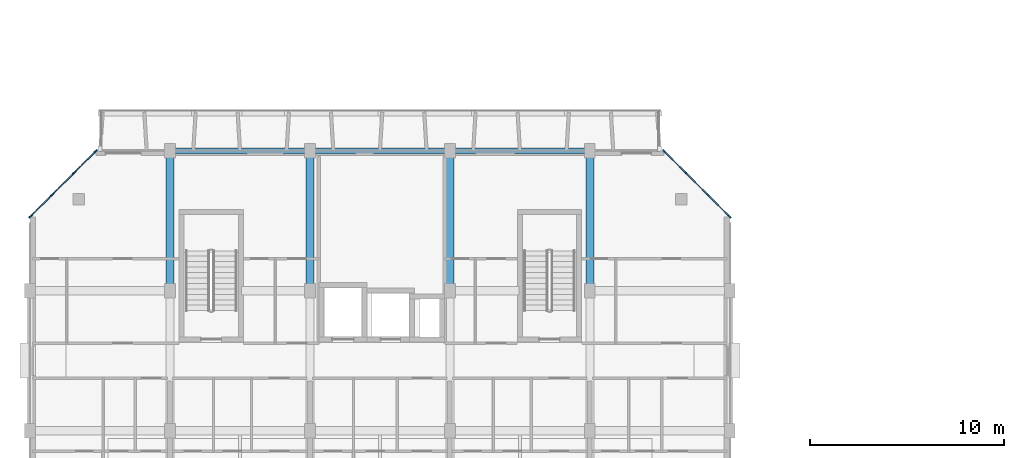
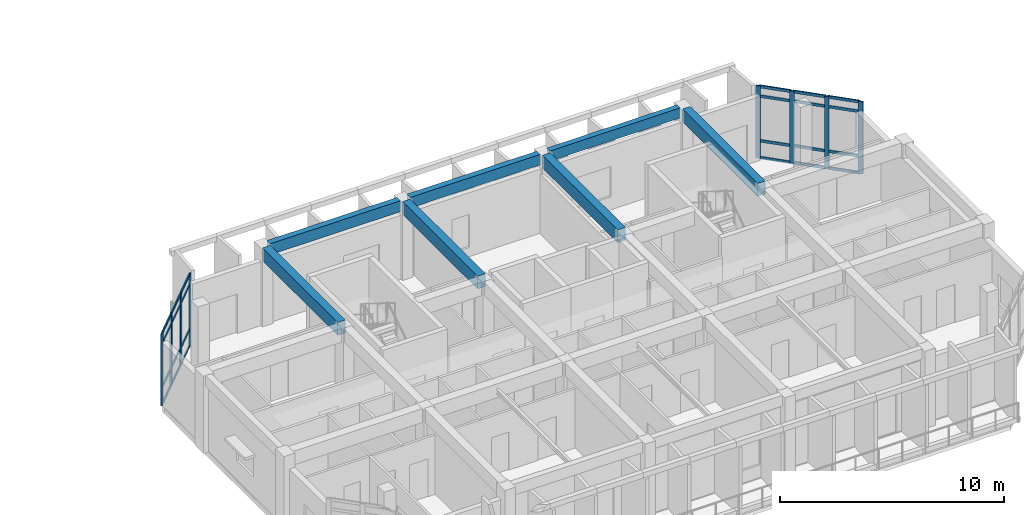
# One storey, part 18 of 85: 32 members, 7 beams, 2 elements without a shape of their own.
"""IFC4 building model written with IfcOpenShell, lengths in metres."""

import ifcopenshell
import ifcopenshell.guid

model = None  # the IFC model being written
_history = None  # IfcOwnerHistory: only IFC2X3 demands one
_inside = {}  # id of a spatial element -> (the spatial element, [elements in it])
_under = {}  # id of a project, library or spatial element -> (it, [spatial elements below it])
_declared = {}  # id of a project -> (the project, [libraries it declares])
_typed = {}  # id of a type object -> (the type object, [elements of that type])
_made_of = {}  # id of a material, layer set ... -> (it, [elements and type objects made of it])


def new_model(schema):
    """Start an empty IFC model of exactly this schema.

    Asked for "IFC4X3", IfcOpenShell would pick the latest addendum, in which some entities
    have other attributes; the version numbers below select the first issue.
    IFC2X3 requires an IfcOwnerHistory on every rooted entity: one is made here for all.
    """
    global model, _history
    if schema == "IFC4X3":
        model = ifcopenshell.file(schema_version=(4, 3, 0, 0))
    else:
        model = ifcopenshell.file(schema=schema)
    _inside.clear()
    _under.clear()
    _declared.clear()
    _typed.clear()
    _made_of.clear()
    _history = None
    if model.schema == "IFC2X3":
        org = make("IfcOrganization", Name="unknown")
        user = make(
            "IfcPersonAndOrganization",
            ThePerson=make("IfcPerson", FamilyName="unknown"),
            TheOrganization=org,
        )
        app = make(
            "IfcApplication",
            ApplicationDeveloper=org,
            Version="unknown",
            ApplicationFullName="unknown",
            ApplicationIdentifier="unknown",
        )
        _history = make(
            "IfcOwnerHistory",
            OwningUser=user,
            OwningApplication=app,
            ChangeAction="ADDED",
            CreationDate=0,
        )
    return model


def make(cls, **values):
    """One entity of the class cls with the attributes given. An attribute that is None is left unset."""
    return model.create_entity(
        cls, **{name: value for name, value in values.items() if value is not None}
    )


def rooted(cls, **values):
    """An entity with a GlobalId (a new one), such as an element, a storey or a relation."""
    return make(cls, GlobalId=ifcopenshell.guid.new(), OwnerHistory=_history, **values)


def si_unit(unit_type, name, prefix=None):
    """IfcSIUnit, for example si_unit("LENGTHUNIT", "METRE", prefix="MILLI")."""
    return make("IfcSIUnit", UnitType=unit_type, Prefix=prefix, Name=name)


def assignment(units):
    """IfcUnitAssignment: the units of a project."""
    return None if units is None else make("IfcUnitAssignment", Units=units)


def point(xyz):
    """IfcCartesianPoint."""
    return None if xyz is None else make("IfcCartesianPoint", Coordinates=xyz)


def direction(xyz):
    """IfcDirection."""
    return None if xyz is None else make("IfcDirection", DirectionRatios=xyz)


def frame(location, z_axis=None, x_axis=None):
    """IfcAxis2Placement3D, a coordinate frame: its origin and axes. An axis left out is left unset."""
    return make(
        "IfcAxis2Placement3D",
        Location=point(location),
        Axis=direction(z_axis),
        RefDirection=direction(x_axis),
    )


def frame_2d(location, x_axis=None):
    """IfcAxis2Placement2D, a coordinate frame in the plane: its origin and x axis."""
    return make(
        "IfcAxis2Placement2D", Location=point(location), RefDirection=direction(x_axis)
    )


def origin():
    """The frame at (0, 0, 0) with its axes left unset."""
    return frame((0.0, 0.0, 0.0))


def origin_2d():
    """The frame at (0, 0) in the plane with its x axis left unset."""
    return frame_2d((0.0, 0.0))


def place(relative_to, where):
    """IfcLocalPlacement: puts the frame where relative to a parent placement (None: the world)."""
    return make(
        "IfcLocalPlacement", PlacementRelTo=relative_to, RelativePlacement=where
    )


def context(
    kind, dimensions, precision=None, world=None, true_north=None, identifier=None
):
    """IfcGeometricRepresentationContext, for example the 3D "Model" context."""
    return make(
        "IfcGeometricRepresentationContext",
        ContextIdentifier=identifier,
        ContextType=kind,
        CoordinateSpaceDimension=dimensions,
        Precision=precision,
        WorldCoordinateSystem=world,
        TrueNorth=true_north,
    )


def subcontext(parent, identifier, kind, view, scale=None):
    """IfcGeometricRepresentationSubContext, for example "Body" below "Model"."""
    return make(
        "IfcGeometricRepresentationSubContext",
        ContextIdentifier=identifier,
        ContextType=kind,
        ParentContext=parent,
        TargetScale=scale,
        TargetView=view,
    )


def project(units=None, contexts=None):
    """IfcProject with its units and contexts."""
    return rooted(
        "IfcProject",
        Name="project",
        RepresentationContexts=contexts,
        UnitsInContext=assignment(units),
    )


def spatial(cls, under=None, at=None, **own):
    """A site, building, storey or space (cls), placed at a placement, below another one or the project."""
    s = rooted(cls, ObjectPlacement=at, **own)
    if under is not None:
        _under.setdefault(under.id(), (under, []))[1].append(s)
    return s


def profile(cls, at=None, kind="AREA", **sizes):
    """A parametric profile (cls). Its sizes go by their IFC names, for example OverallWidth=200.0."""
    return make(cls, ProfileType=kind, Position=at, **sizes)


def rectangle(**sizes):
    """IfcRectangleProfileDef."""
    return profile("IfcRectangleProfileDef", **sizes)


def extrude(swept, where, along, depth):
    """IfcExtrudedAreaSolid: the profile swept, set in the frame where, extruded along a direction by depth."""
    return make(
        "IfcExtrudedAreaSolid",
        SweptArea=swept,
        Position=where,
        ExtrudedDirection=direction(along),
        Depth=depth,
    )


def shape(context_of_items, identifier, shape_type, items):
    """IfcShapeRepresentation: the items that make up one representation, for example the "Body"."""
    return make(
        "IfcShapeRepresentation",
        ContextOfItems=context_of_items,
        RepresentationIdentifier=identifier,
        RepresentationType=shape_type,
        Items=items,
    )


def material(Name=None, Category=None):
    """IfcMaterial."""
    return make("IfcMaterial", Name=Name, Category=Category)


def layer(
    of_material, thickness, ventilated=None, Name=None, Category=None, Priority=None
):
    """IfcMaterialLayer: one layer of a wall or slab, of a material (None: an air gap)."""
    return make(
        "IfcMaterialLayer",
        Material=of_material,
        LayerThickness=thickness,
        IsVentilated=ventilated,
        Name=Name,
        Category=Category,
        Priority=Priority,
    )


def layer_set(layers, Name=None):
    """IfcMaterialLayerSet."""
    return make("IfcMaterialLayerSet", MaterialLayers=layers, LayerSetName=Name)


def material_profile(
    of_material, cross_section, Name=None, Category=None, Priority=None
):
    """IfcMaterialProfile: a cross section and its material."""
    return make(
        "IfcMaterialProfile",
        Name=Name,
        Material=of_material,
        Profile=cross_section,
        Priority=Priority,
        Category=Category,
    )


def profile_set(profiles, Name=None, composite=None):
    """IfcMaterialProfileSet."""
    return make(
        "IfcMaterialProfileSet",
        Name=Name,
        MaterialProfiles=profiles,
        CompositeProfile=composite,
    )


def made_of(thing, what):
    """Note that an element or type object is made of a material, layer set ...; save() writes the relation."""
    if what is not None:
        _made_of.setdefault(what.id(), (what, []))[1].append(thing)
    return thing


def type_object(cls, material=None, **own):
    """A type object (cls), such as IfcWallType, which elements share."""
    return made_of(rooted(cls, **own), material)


def element(
    cls,
    number,
    at=None,
    inside=None,
    cuts=None,
    type_object=None,
    material=None,
    context=None,
    identifier="Body",
    shape_type=None,
    held_by="IfcProductDefinitionShape",
    body=None,
    shapes=None,
    **own,
):
    """One element of the class cls, such as IfcWall. Its Tag is "e" and its number.

    at: its placement. inside: the storey or other place that contains it. cuts: it is an
    opening in that element (IfcRelVoidsElement). A single representation is given by context,
    identifier, shape_type and body (its items); several are given by shapes. held_by: the class
    of the entity that holds the representations. save() writes the other relations.
    """
    e = rooted(cls, Tag="e%d" % number, ObjectPlacement=at, **own)
    if body is not None:
        shapes = [shape(context, identifier, shape_type, body)]
    if shapes is not None:
        e.Representation = make(held_by, Representations=shapes)
    if inside is not None:
        _inside.setdefault(inside.id(), (inside, []))[1].append(e)
    if cuts is not None:
        rooted(
            "IfcRelVoidsElement", RelatingBuildingElement=cuts, RelatedOpeningElement=e
        )
    if type_object is not None:
        _typed.setdefault(type_object.id(), (type_object, []))[1].append(e)
    return made_of(e, material)


def aggregate(whole, parts):
    """IfcRelAggregates: a whole, such as a stair, and the parts it consists of."""
    return rooted("IfcRelAggregates", RelatingObject=whole, RelatedObjects=parts)


def save(model, path):
    """Write the relations noted so far, then the file.

    IfcRelAggregates (storeys below a building ...), IfcRelContainedInSpatialStructure (elements
    in a storey), IfcRelDefinesByType, IfcRelAssociatesMaterial and IfcRelDeclares: one each for
    every whole, place, type object, material and project.
    """
    for whole, parts in _under.values():
        aggregate(whole, parts)
    for where, things in _inside.values():
        rooted(
            "IfcRelContainedInSpatialStructure",
            RelatedElements=things,
            RelatingStructure=where,
        )
    for kind, things in _typed.values():
        rooted("IfcRelDefinesByType", RelatedObjects=things, RelatingType=kind)
    for what, things in _made_of.values():
        rooted("IfcRelAssociatesMaterial", RelatedObjects=things, RelatingMaterial=what)
    for by, libraries in _declared.values():
        rooted("IfcRelDeclares", RelatingContext=by, RelatedDefinitions=libraries)
    model.write(path)


model = new_model("IFC4")

# Units and contexts
model_context = context("Model", 3, precision=1e-05, world=origin(), true_north=direction((0.0, 1.0)))
body_context = subcontext(model_context, "Body", "Model", "MODEL_VIEW")
ifc_project = project(units=[si_unit("LENGTHUNIT", "METRE"), si_unit("AREAUNIT", "SQUARE_METRE"), si_unit("VOLUMEUNIT", "CUBIC_METRE"), si_unit("PLANEANGLEUNIT", "RADIAN"), si_unit("MASSUNIT", "GRAM", prefix="KILO")], contexts=[model_context])

# Site, building, storey
site_placement = place(None, origin())
site = spatial("IfcSite", under=ifc_project, at=site_placement, CompositionType="ELEMENT")
building_placement = place(site_placement, origin())
building = spatial("IfcBuilding", under=site, at=building_placement, Name="Ochrevale Crest", CompositionType="ELEMENT")
storey_placement = place(building_placement, frame((0.0, 0.0, 4.5)))
storey = spatial("IfcBuildingStorey", under=building, at=storey_placement, Name="L01", CompositionType="ELEMENT", Elevation=4.5)

# Beams
ifc_material_1 = material(Name="Precast concrete C50/60", Category="concrete")
ifc_material_profile_1 = material_profile(ifc_material_1, rectangle(XDim=0.39990234375, YDim=0.699951171875, at=origin_2d()), Name="PC 400x700")
ifc_profile_set_1 = profile_set([ifc_material_profile_1], Name="Precast concrete C50/60")
beam_type_1 = type_object("IfcBeamType", Name="BM-PC400x700", PredefinedType="BEAM", material=ifc_profile_set_1)
for number, where, z_axis, x_axis, name in (
    (1, (7.199951171875, 29.054931640625, 3.85009765625), (0.0, 1.0, 0.0), (-1.0, 0.0, 0.0), "Block A L01 N-S beam X=7.2"),
    (2, (14.39990234375, 29.054931640625, 3.85009765625), (0.0, 1.0, 0.0), (-1.0, 0.0, 0.0), "Block A L01 N-S beam X=14.4"),
    (3, (21.60009765625, 29.054931640625, 3.85009765625), (0.0, 1.0, 0.0), (-1.0, 0.0, 0.0), "Block A L01 N-S beam X=21.6"),
    (4, (28.800048828125, 29.054931640625, 3.85009765625), (0.0, 1.0, 0.0), (-1.0, 0.0, 0.0), "Block A L01 N-S beam X=28.8"),
):
    element("IfcBeam", number, at=place(storey_placement, frame(where, z_axis=z_axis, x_axis=x_axis)), inside=storey, type_object=beam_type_1, Name=name, PredefinedType="BEAM", context=body_context, shape_type="SweptSolid", body=[
        extrude(rectangle(XDim=0.39990234375, YDim=0.699951171875, at=origin_2d()), origin(), (0.0, 0.0, 1.0), 6.690185546875),
    ])
ifc_material_2 = material(Name="Precast concrete C40/50", Category="concrete")
ifc_material_profile_2 = material_profile(ifc_material_2, rectangle(XDim=0.280029296875, YDim=0.550048828125, at=origin_2d()), Name="PC 280x550")
ifc_profile_set_2 = profile_set([ifc_material_profile_2], Name="Precast concrete C40/50")
beam_type_2 = type_object("IfcBeamType", Name="BM-SP280x550", PredefinedType="SPANDREL", material=ifc_profile_set_2)
beam_1_placement = place(storey_placement, frame((21.85009765625, 36.0, 3.925048828125), z_axis=(1.0, 0.0, 0.0), x_axis=(0.0, 1.0, 0.0)))
element("IfcBeam", 5, at=beam_1_placement, inside=storey, type_object=beam_type_2, Name="Block A L01 E-W beam Y=36.0", PredefinedType="SPANDREL", context=body_context, shape_type="SweptSolid", body=[
    extrude(rectangle(XDim=0.280029296875, YDim=0.550048828125, at=origin_2d()), origin(), (0.0, 0.0, 1.0), 6.699951171875),
])
ifc_material_profile_3 = material_profile(ifc_material_2, rectangle(XDim=0.300048828125, YDim=0.580078125, at=origin_2d()), Name="PC 300x580")
ifc_profile_set_3 = profile_set([ifc_material_profile_3], Name="Precast concrete C40/50")
beam_type_3 = type_object("IfcBeamType", Name="BM-SP300x580", PredefinedType="SPANDREL", material=ifc_profile_set_3)
beam_2_placement = place(storey_placement, frame((14.64990234375, 36.0, 3.909912109375), z_axis=(1.0, 0.0, 0.0), x_axis=(0.0, 1.0, 0.0)))
element("IfcBeam", 6, at=beam_2_placement, inside=storey, type_object=beam_type_3, Name="Block A L01 E-W beam Y=36.0", PredefinedType="SPANDREL", context=body_context, shape_type="SweptSolid", body=[
    extrude(rectangle(XDim=0.300048828125, YDim=0.580078125, at=origin_2d()), origin(), (0.0, 0.0, 1.0), 6.7001953125),
])
ifc_material_profile_4 = material_profile(ifc_material_2, rectangle(XDim=0.300048828125, YDim=0.60009765625, at=origin_2d()), Name="PC 300x600")
ifc_profile_set_4 = profile_set([ifc_material_profile_4], Name="Precast concrete C40/50")
beam_type_4 = type_object("IfcBeamType", Name="BM-SP300x600", PredefinedType="SPANDREL", material=ifc_profile_set_4)
beam_3_placement = place(storey_placement, frame((7.449951171875, 36.0, 3.89990234375), z_axis=(1.0, 0.0, 0.0), x_axis=(0.0, 1.0, 0.0)))
element("IfcBeam", 7, at=beam_3_placement, inside=storey, type_object=beam_type_4, Name="Block A L01 E-W beam Y=36.0", PredefinedType="SPANDREL", context=body_context, shape_type="SweptSolid", body=[
    extrude(rectangle(XDim=0.300048828125, YDim=0.60009765625, at=origin_2d()), origin(), (0.0, 0.0, 1.0), 6.699951171875),
])

# Curtain wall, members
ifc_material_3 = material(Name="Anodised aluminium 6063-T5", Category="aluminium")
ifc_layer = layer(ifc_material_3, 0.14990234375)
ifc_layer_set = layer_set([ifc_layer], Name="Anodised aluminium 6063-T5")
curtain_wall_type = type_object("IfcCurtainWallType", Name="CW-WG-360x385", PredefinedType="NOTDEFINED", material=ifc_layer_set)
curtain_wall_1_placement = place(storey_placement, origin())
curtain_wall_1 = element("IfcCurtainWall", 8, at=curtain_wall_1_placement, inside=storey, type_object=curtain_wall_type, Name="Block A L01 chamfered corner wintergarden curtain wall 4", PredefinedType="NOTDEFINED")
ifc_material_profile_5 = material_profile(ifc_material_3, rectangle(XDim=0.074951171875, YDim=0.219970703125, at=origin_2d()), Name="ALU 75x220")
ifc_profile_set_5 = profile_set([ifc_material_profile_5], Name="Anodised aluminium 6063-T5")
member_type_1 = type_object("IfcMemberType", Name="CW-MUL-75x220", PredefinedType="MULLION", material=ifc_profile_set_5)
member_1_placement = place(storey_placement, frame((35.973388671875, 32.62646484375, 0.0), z_axis=(0.0, 0.0, 1.0), x_axis=(-0.707106781187, -0.707106781187, 0.0)))
member_1 = element("IfcMember", 9, at=member_1_placement, type_object=member_type_1, Name="CW20 mullion 1", PredefinedType="MULLION", context=body_context, shape_type="SweptSolid", body=[
    extrude(rectangle(XDim=0.074951171875, YDim=0.219970703125, at=origin_2d()), origin(), (0.0, 0.0, 1.0), 3.925048828125),
])
member_2_placement = place(storey_placement, frame((34.86669921875, 33.7333984375, 0.0), z_axis=(0.0, 0.0, 1.0), x_axis=(-0.707106781187, -0.707106781187, 0.0)))
member_2 = element("IfcMember", 10, at=member_2_placement, type_object=member_type_1, Name="CW20 mullion 2", PredefinedType="MULLION", context=body_context, shape_type="SweptSolid", body=[
    extrude(rectangle(XDim=0.074951171875, YDim=0.219970703125, at=origin_2d()), origin(), (0.0, 0.0, 1.0), 3.925048828125),
])
member_3_placement = place(storey_placement, frame((33.7333984375, 34.86669921875, 0.0), z_axis=(0.0, 0.0, 1.0), x_axis=(-0.707106781187, -0.707106781187, 0.0)))
member_3 = element("IfcMember", 11, at=member_3_placement, type_object=member_type_1, Name="CW20 mullion 3", PredefinedType="MULLION", context=body_context, shape_type="SweptSolid", body=[
    extrude(rectangle(XDim=0.074951171875, YDim=0.219970703125, at=origin_2d()), origin(), (0.0, 0.0, 1.0), 3.925048828125),
])
member_4_placement = place(storey_placement, frame((32.62646484375, 35.973388671875, 0.0), z_axis=(0.0, 0.0, 1.0), x_axis=(-0.707106781187, -0.707106781187, 0.0)))
member_4 = element("IfcMember", 12, at=member_4_placement, type_object=member_type_1, Name="CW20 mullion 4", PredefinedType="MULLION", context=body_context, shape_type="SweptSolid", body=[
    extrude(rectangle(XDim=0.074951171875, YDim=0.219970703125, at=origin_2d()), origin(), (0.0, 0.0, 1.0), 3.925048828125),
])

curtain_wall_2_placement = place(storey_placement, origin())
curtain_wall_2 = element("IfcCurtainWall", 13, at=curtain_wall_2_placement, inside=storey, type_object=curtain_wall_type, Name="Block A L01 chamfered corner wintergarden curtain wall 6", PredefinedType="NOTDEFINED")
member_5_placement = place(storey_placement, frame((3.37353515625, 35.973388671875, 0.0), z_axis=(0.0, 0.0, 1.0), x_axis=(0.707106781187, -0.707106781187, 0.0)))
member_5 = element("IfcMember", 14, at=member_5_placement, type_object=member_type_1, Name="CW20 mullion 1", PredefinedType="MULLION", context=body_context, shape_type="SweptSolid", body=[
    extrude(rectangle(XDim=0.074951171875, YDim=0.219970703125, at=origin_2d()), origin(), (0.0, 0.0, 1.0), 3.925048828125),
])
member_6_placement = place(storey_placement, frame((2.2666015625, 34.86669921875, 0.0), z_axis=(0.0, 0.0, 1.0), x_axis=(0.707106781187, -0.707106781187, 0.0)))
member_6 = element("IfcMember", 15, at=member_6_placement, type_object=member_type_1, Name="CW20 mullion 2", PredefinedType="MULLION", context=body_context, shape_type="SweptSolid", body=[
    extrude(rectangle(XDim=0.074951171875, YDim=0.219970703125, at=origin_2d()), origin(), (0.0, 0.0, 1.0), 3.925048828125),
])
member_7_placement = place(storey_placement, frame((1.13330078125, 33.7333984375, 0.0), z_axis=(0.0, 0.0, 1.0), x_axis=(0.707106781187, -0.707106781187, 0.0)))
member_7 = element("IfcMember", 16, at=member_7_placement, type_object=member_type_1, Name="CW20 mullion 3", PredefinedType="MULLION", context=body_context, shape_type="SweptSolid", body=[
    extrude(rectangle(XDim=0.074951171875, YDim=0.219970703125, at=origin_2d()), origin(), (0.0, 0.0, 1.0), 3.925048828125),
])
member_8_placement = place(storey_placement, frame((0.026611328125, 32.62646484375, 0.0), z_axis=(0.0, 0.0, 1.0), x_axis=(0.707106781187, -0.707106781187, 0.0)))
member_8 = element("IfcMember", 17, at=member_8_placement, type_object=member_type_1, Name="CW20 mullion 4", PredefinedType="MULLION", context=body_context, shape_type="SweptSolid", body=[
    extrude(rectangle(XDim=0.074951171875, YDim=0.219970703125, at=origin_2d()), origin(), (0.0, 0.0, 1.0), 3.925048828125),
])

# Member
ifc_material_profile_6 = material_profile(ifc_material_3, rectangle(XDim=0.06005859375, YDim=0.14990234375, at=origin_2d()), Name="ALU 60x150")
ifc_profile_set_6 = profile_set([ifc_material_profile_6], Name="Anodised aluminium 6063-T5")
member_type_2 = type_object("IfcMemberType", Name="CW-TRN-60x150", PredefinedType="USERDEFINED", material=ifc_profile_set_6)
member_9_placement = place(storey_placement, frame((35.947021484375, 32.653076171875, 0.030029296875), z_axis=(-0.707188683865, 0.70702486902, 0.0), x_axis=(-0.70702486902, -0.707188683865, 0.0)))
member_9 = element("IfcMember", 18, at=member_9_placement, type_object=member_type_2, Name="CW20 transom 1.1", ObjectType="TRANSOM", PredefinedType="USERDEFINED", context=body_context, shape_type="SweptSolid", body=[
    extrude(rectangle(XDim=0.06005859375, YDim=0.14990234375, at=origin_2d()), origin(), (0.0, 0.0, 1.0), 1.490234375),
])

member_10_placement = place(storey_placement, frame((35.947021484375, 32.653076171875, 0.949951171875), z_axis=(-0.707188683865, 0.70702486902, 0.0), x_axis=(-0.70702486902, -0.707188683865, 0.0)))
member_10 = element("IfcMember", 19, at=member_10_placement, type_object=member_type_2, Name="CW20 transom 1.2", ObjectType="TRANSOM", PredefinedType="USERDEFINED", context=body_context, shape_type="SweptSolid", body=[
    extrude(rectangle(XDim=0.06005859375, YDim=0.14990234375, at=origin_2d()), origin(), (0.0, 0.0, 1.0), 1.490234375),
])

member_11_placement = place(storey_placement, frame((35.947021484375, 32.653076171875, 3.375), z_axis=(-0.707188683865, 0.70702486902, 0.0), x_axis=(-0.70702486902, -0.707188683865, 0.0)))
member_11 = element("IfcMember", 20, at=member_11_placement, type_object=member_type_2, Name="CW20 transom 1.3", ObjectType="TRANSOM", PredefinedType="USERDEFINED", context=body_context, shape_type="SweptSolid", body=[
    extrude(rectangle(XDim=0.06005859375, YDim=0.14990234375, at=origin_2d()), origin(), (0.0, 0.0, 1.0), 1.490234375),
])

member_12_placement = place(storey_placement, frame((35.947021484375, 32.653076171875, 3.89501953125), z_axis=(-0.707188683865, 0.70702486902, 0.0), x_axis=(-0.70702486902, -0.707188683865, 0.0)))
member_12 = element("IfcMember", 21, at=member_12_placement, type_object=member_type_2, Name="CW20 transom 1.4", ObjectType="TRANSOM", PredefinedType="USERDEFINED", context=body_context, shape_type="SweptSolid", body=[
    extrude(rectangle(XDim=0.06005859375, YDim=0.14990234375, at=origin_2d()), origin(), (0.0, 0.0, 1.0), 1.490234375),
])

member_13_placement = place(storey_placement, frame((34.840087890625, 33.759765625, 0.030029296875), z_axis=(-0.707106781187, 0.707106781187, 0.0), x_axis=(-0.707106781187, -0.707106781187, 0.0)))
member_13 = element("IfcMember", 22, at=member_13_placement, type_object=member_type_2, Name="CW20 transom 2.1", ObjectType="TRANSOM", PredefinedType="USERDEFINED", context=body_context, shape_type="SweptSolid", body=[
    extrude(rectangle(XDim=0.06005859375, YDim=0.14990234375, at=origin_2d()), origin(), (0.0, 0.0, 1.0), 1.52783203125),
])

member_14_placement = place(storey_placement, frame((34.840087890625, 33.759765625, 0.949951171875), z_axis=(-0.707106781187, 0.707106781187, 0.0), x_axis=(-0.707106781187, -0.707106781187, 0.0)))
member_14 = element("IfcMember", 23, at=member_14_placement, type_object=member_type_2, Name="CW20 transom 2.2", ObjectType="TRANSOM", PredefinedType="USERDEFINED", context=body_context, shape_type="SweptSolid", body=[
    extrude(rectangle(XDim=0.06005859375, YDim=0.14990234375, at=origin_2d()), origin(), (0.0, 0.0, 1.0), 1.52783203125),
])

member_15_placement = place(storey_placement, frame((34.840087890625, 33.759765625, 3.375), z_axis=(-0.707106781187, 0.707106781187, 0.0), x_axis=(-0.707106781187, -0.707106781187, 0.0)))
member_15 = element("IfcMember", 24, at=member_15_placement, type_object=member_type_2, Name="CW20 transom 2.3", ObjectType="TRANSOM", PredefinedType="USERDEFINED", context=body_context, shape_type="SweptSolid", body=[
    extrude(rectangle(XDim=0.06005859375, YDim=0.14990234375, at=origin_2d()), origin(), (0.0, 0.0, 1.0), 1.52783203125),
])

member_16_placement = place(storey_placement, frame((34.840087890625, 33.759765625, 3.89501953125), z_axis=(-0.707106781187, 0.707106781187, 0.0), x_axis=(-0.707106781187, -0.707106781187, 0.0)))
member_16 = element("IfcMember", 25, at=member_16_placement, type_object=member_type_2, Name="CW20 transom 2.4", ObjectType="TRANSOM", PredefinedType="USERDEFINED", context=body_context, shape_type="SweptSolid", body=[
    extrude(rectangle(XDim=0.06005859375, YDim=0.14990234375, at=origin_2d()), origin(), (0.0, 0.0, 1.0), 1.52783203125),
])

member_17_placement = place(storey_placement, frame((33.706787109375, 34.89306640625, 0.030029296875), z_axis=(-0.70702486902, 0.707188683865, 0.0), x_axis=(-0.707188683865, -0.70702486902, 0.0)))
member_17 = element("IfcMember", 26, at=member_17_placement, type_object=member_type_2, Name="CW20 transom 3.1", ObjectType="TRANSOM", PredefinedType="USERDEFINED", context=body_context, shape_type="SweptSolid", body=[
    extrude(rectangle(XDim=0.06005859375, YDim=0.14990234375, at=origin_2d()), origin(), (0.0, 0.0, 1.0), 1.490234375),
])

member_18_placement = place(storey_placement, frame((33.706787109375, 34.89306640625, 0.949951171875), z_axis=(-0.70702486902, 0.707188683865, 0.0), x_axis=(-0.707188683865, -0.70702486902, 0.0)))
member_18 = element("IfcMember", 27, at=member_18_placement, type_object=member_type_2, Name="CW20 transom 3.2", ObjectType="TRANSOM", PredefinedType="USERDEFINED", context=body_context, shape_type="SweptSolid", body=[
    extrude(rectangle(XDim=0.06005859375, YDim=0.14990234375, at=origin_2d()), origin(), (0.0, 0.0, 1.0), 1.490234375),
])

member_19_placement = place(storey_placement, frame((33.706787109375, 34.89306640625, 3.375), z_axis=(-0.70702486902, 0.707188683865, 0.0), x_axis=(-0.707188683865, -0.70702486902, 0.0)))
member_19 = element("IfcMember", 28, at=member_19_placement, type_object=member_type_2, Name="CW20 transom 3.3", ObjectType="TRANSOM", PredefinedType="USERDEFINED", context=body_context, shape_type="SweptSolid", body=[
    extrude(rectangle(XDim=0.06005859375, YDim=0.14990234375, at=origin_2d()), origin(), (0.0, 0.0, 1.0), 1.490234375),
])

member_20_placement = place(storey_placement, frame((33.706787109375, 34.89306640625, 3.89501953125), z_axis=(-0.70702486902, 0.707188683865, 0.0), x_axis=(-0.707188683865, -0.70702486902, 0.0)))
member_20 = element("IfcMember", 29, at=member_20_placement, type_object=member_type_2, Name="CW20 transom 3.4", ObjectType="TRANSOM", PredefinedType="USERDEFINED", context=body_context, shape_type="SweptSolid", body=[
    extrude(rectangle(XDim=0.06005859375, YDim=0.14990234375, at=origin_2d()), origin(), (0.0, 0.0, 1.0), 1.490234375),
])

aggregate(curtain_wall_1, [member_1, member_2, member_3, member_4, member_9, member_10, member_11, member_12, member_13, member_14, member_15, member_16, member_17, member_18, member_19, member_20])

member_21_placement = place(storey_placement, frame((3.346923828125, 35.947021484375, 0.030029296875), z_axis=(-0.70702486902, -0.707188683865, 0.0), x_axis=(0.707188683865, -0.70702486902, 0.0)))
member_21 = element("IfcMember", 30, at=member_21_placement, type_object=member_type_2, Name="CW20 transom 1.1", ObjectType="TRANSOM", PredefinedType="USERDEFINED", context=body_context, shape_type="SweptSolid", body=[
    extrude(rectangle(XDim=0.06005859375, YDim=0.14990234375, at=origin_2d()), origin(), (0.0, 0.0, 1.0), 1.490234375),
])

member_22_placement = place(storey_placement, frame((3.346923828125, 35.947021484375, 0.949951171875), z_axis=(-0.70702486902, -0.707188683865, 0.0), x_axis=(0.707188683865, -0.70702486902, 0.0)))
member_22 = element("IfcMember", 31, at=member_22_placement, type_object=member_type_2, Name="CW20 transom 1.2", ObjectType="TRANSOM", PredefinedType="USERDEFINED", context=body_context, shape_type="SweptSolid", body=[
    extrude(rectangle(XDim=0.06005859375, YDim=0.14990234375, at=origin_2d()), origin(), (0.0, 0.0, 1.0), 1.490234375),
])

member_23_placement = place(storey_placement, frame((3.346923828125, 35.947021484375, 3.375), z_axis=(-0.70702486902, -0.707188683865, 0.0), x_axis=(0.707188683865, -0.70702486902, 0.0)))
member_23 = element("IfcMember", 32, at=member_23_placement, type_object=member_type_2, Name="CW20 transom 1.3", ObjectType="TRANSOM", PredefinedType="USERDEFINED", context=body_context, shape_type="SweptSolid", body=[
    extrude(rectangle(XDim=0.06005859375, YDim=0.14990234375, at=origin_2d()), origin(), (0.0, 0.0, 1.0), 1.490234375),
])

member_24_placement = place(storey_placement, frame((3.346923828125, 35.947021484375, 3.89501953125), z_axis=(-0.70702486902, -0.707188683865, 0.0), x_axis=(0.707188683865, -0.70702486902, 0.0)))
member_24 = element("IfcMember", 33, at=member_24_placement, type_object=member_type_2, Name="CW20 transom 1.4", ObjectType="TRANSOM", PredefinedType="USERDEFINED", context=body_context, shape_type="SweptSolid", body=[
    extrude(rectangle(XDim=0.06005859375, YDim=0.14990234375, at=origin_2d()), origin(), (0.0, 0.0, 1.0), 1.490234375),
])

member_25_placement = place(storey_placement, frame((2.240234375, 34.840087890625, 0.030029296875), z_axis=(-0.707106781187, -0.707106781187, 0.0), x_axis=(0.707106781187, -0.707106781187, 0.0)))
member_25 = element("IfcMember", 34, at=member_25_placement, type_object=member_type_2, Name="CW20 transom 2.1", ObjectType="TRANSOM", PredefinedType="USERDEFINED", context=body_context, shape_type="SweptSolid", body=[
    extrude(rectangle(XDim=0.06005859375, YDim=0.14990234375, at=origin_2d()), origin(), (0.0, 0.0, 1.0), 1.52783203125),
])

member_26_placement = place(storey_placement, frame((2.240234375, 34.840087890625, 0.949951171875), z_axis=(-0.707106781187, -0.707106781187, 0.0), x_axis=(0.707106781187, -0.707106781187, 0.0)))
member_26 = element("IfcMember", 35, at=member_26_placement, type_object=member_type_2, Name="CW20 transom 2.2", ObjectType="TRANSOM", PredefinedType="USERDEFINED", context=body_context, shape_type="SweptSolid", body=[
    extrude(rectangle(XDim=0.06005859375, YDim=0.14990234375, at=origin_2d()), origin(), (0.0, 0.0, 1.0), 1.52783203125),
])

member_27_placement = place(storey_placement, frame((2.240234375, 34.840087890625, 3.375), z_axis=(-0.707106781187, -0.707106781187, 0.0), x_axis=(0.707106781187, -0.707106781187, 0.0)))
member_27 = element("IfcMember", 36, at=member_27_placement, type_object=member_type_2, Name="CW20 transom 2.3", ObjectType="TRANSOM", PredefinedType="USERDEFINED", context=body_context, shape_type="SweptSolid", body=[
    extrude(rectangle(XDim=0.06005859375, YDim=0.14990234375, at=origin_2d()), origin(), (0.0, 0.0, 1.0), 1.52783203125),
])

member_28_placement = place(storey_placement, frame((2.240234375, 34.840087890625, 3.89501953125), z_axis=(-0.707106781187, -0.707106781187, 0.0), x_axis=(0.707106781187, -0.707106781187, 0.0)))
member_28 = element("IfcMember", 37, at=member_28_placement, type_object=member_type_2, Name="CW20 transom 2.4", ObjectType="TRANSOM", PredefinedType="USERDEFINED", context=body_context, shape_type="SweptSolid", body=[
    extrude(rectangle(XDim=0.06005859375, YDim=0.14990234375, at=origin_2d()), origin(), (0.0, 0.0, 1.0), 1.52783203125),
])

member_29_placement = place(storey_placement, frame((1.10693359375, 33.706787109375, 0.030029296875), z_axis=(-0.707188683865, -0.70702486902, 0.0), x_axis=(0.70702486902, -0.707188683865, 0.0)))
member_29 = element("IfcMember", 38, at=member_29_placement, type_object=member_type_2, Name="CW20 transom 3.1", ObjectType="TRANSOM", PredefinedType="USERDEFINED", context=body_context, shape_type="SweptSolid", body=[
    extrude(rectangle(XDim=0.06005859375, YDim=0.14990234375, at=origin_2d()), origin(), (0.0, 0.0, 1.0), 1.490234375),
])

member_30_placement = place(storey_placement, frame((1.10693359375, 33.706787109375, 0.949951171875), z_axis=(-0.707188683865, -0.70702486902, 0.0), x_axis=(0.70702486902, -0.707188683865, 0.0)))
member_30 = element("IfcMember", 39, at=member_30_placement, type_object=member_type_2, Name="CW20 transom 3.2", ObjectType="TRANSOM", PredefinedType="USERDEFINED", context=body_context, shape_type="SweptSolid", body=[
    extrude(rectangle(XDim=0.06005859375, YDim=0.14990234375, at=origin_2d()), origin(), (0.0, 0.0, 1.0), 1.490234375),
])

member_31_placement = place(storey_placement, frame((1.10693359375, 33.706787109375, 3.375), z_axis=(-0.707188683865, -0.70702486902, 0.0), x_axis=(0.70702486902, -0.707188683865, 0.0)))
member_31 = element("IfcMember", 40, at=member_31_placement, type_object=member_type_2, Name="CW20 transom 3.3", ObjectType="TRANSOM", PredefinedType="USERDEFINED", context=body_context, shape_type="SweptSolid", body=[
    extrude(rectangle(XDim=0.06005859375, YDim=0.14990234375, at=origin_2d()), origin(), (0.0, 0.0, 1.0), 1.490234375),
])

member_32_placement = place(storey_placement, frame((1.10693359375, 33.706787109375, 3.89501953125), z_axis=(-0.707188683865, -0.70702486902, 0.0), x_axis=(0.70702486902, -0.707188683865, 0.0)))
member_32 = element("IfcMember", 41, at=member_32_placement, type_object=member_type_2, Name="CW20 transom 3.4", ObjectType="TRANSOM", PredefinedType="USERDEFINED", context=body_context, shape_type="SweptSolid", body=[
    extrude(rectangle(XDim=0.06005859375, YDim=0.14990234375, at=origin_2d()), origin(), (0.0, 0.0, 1.0), 1.490234375),
])

aggregate(curtain_wall_2, [member_5, member_6, member_7, member_8, member_21, member_22, member_23, member_24, member_25, member_26, member_27, member_28, member_29, member_30, member_31, member_32])

save(model, "model.ifc")
